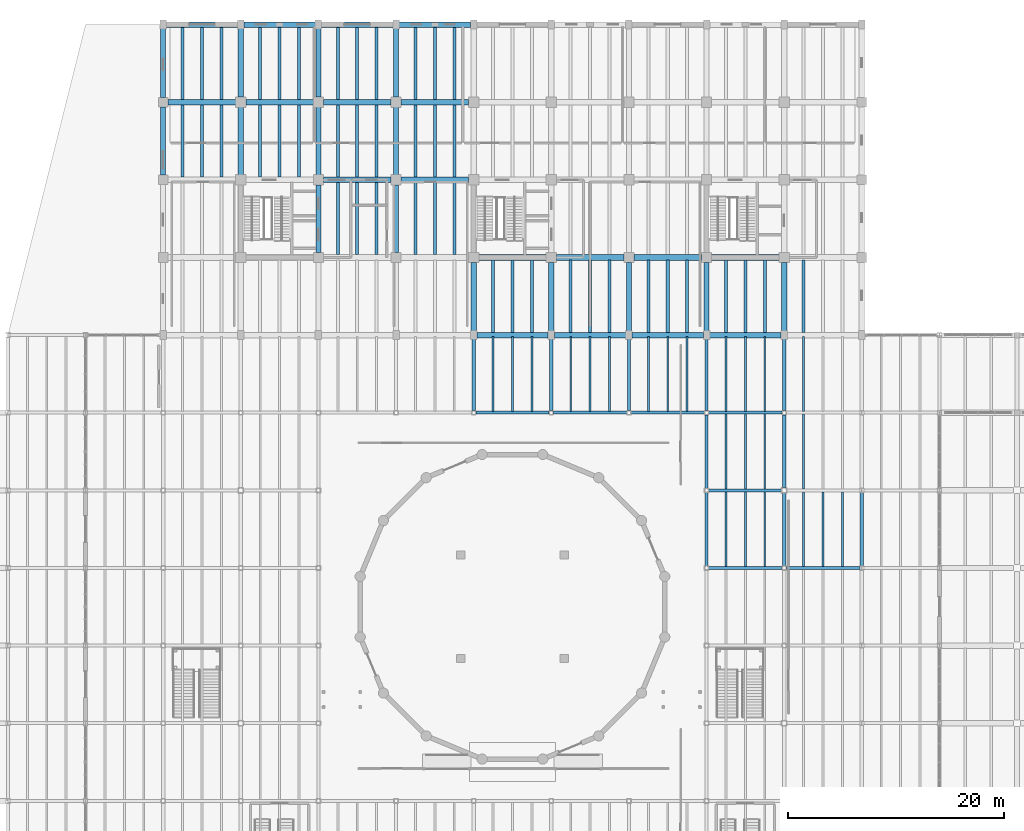
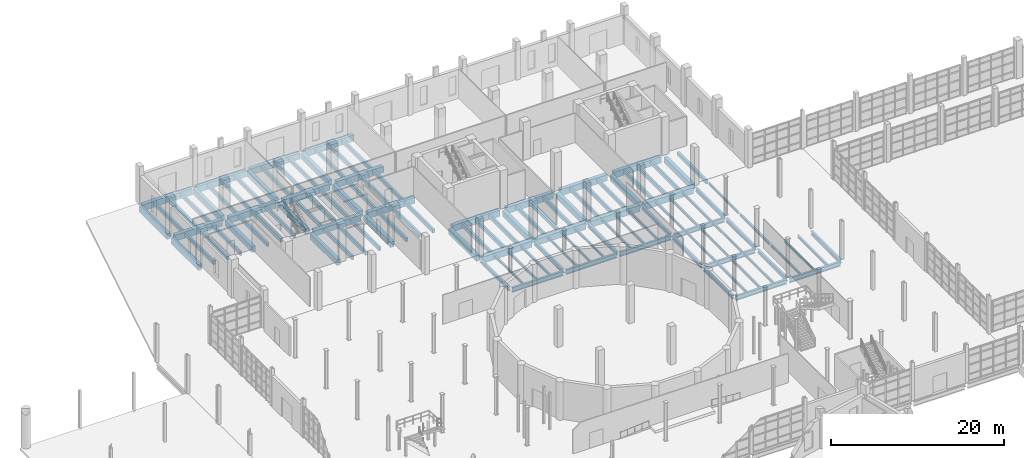
# One storey, part 35 of 79: 116 beams.
"""IFC4 building model written with IfcOpenShell, lengths in metres."""

from ifc_helpers import new_model, si_unit, direction, frame, origin, origin_2d, place, context, subcontext, project, spatial, rectangle, i_section, extrude, material, material_profile, profile_set, type_object, element, save


model = new_model("IFC4")

# Units and contexts
model_context = context("Model", 3, precision=1e-05, world=origin(), true_north=direction((0.0, 1.0)))
body_context = subcontext(model_context, "Body", "Model", "MODEL_VIEW")
ifc_project = project(units=[si_unit("LENGTHUNIT", "METRE"), si_unit("AREAUNIT", "SQUARE_METRE"), si_unit("VOLUMEUNIT", "CUBIC_METRE"), si_unit("PLANEANGLEUNIT", "RADIAN"), si_unit("MASSUNIT", "GRAM", prefix="KILO")], contexts=[model_context])

# Site, building, storey
site_placement = place(None, origin())
site = spatial("IfcSite", under=ifc_project, at=site_placement, CompositionType="ELEMENT")
building_placement = place(site_placement, origin())
building = spatial("IfcBuilding", under=site, at=building_placement, Name="Qiaolan Assembly House", CompositionType="ELEMENT")
storey_placement = place(building_placement, origin())
storey = spatial("IfcBuildingStorey", under=building, at=storey_placement, Name="L00", CompositionType="ELEMENT", Elevation=0.0)

# Beams
ifc_material_1 = material(Name="Concrete C45/55", Category="concrete")
ifc_material_profile_1 = material_profile(ifc_material_1, rectangle(XDim=0.47998046875, YDim=0.81005859375, at=origin_2d()), Name="RCB 480x810")
ifc_profile_set_1 = profile_set([ifc_material_profile_1], Name="Concrete C45/55")
beam_type_1 = type_object("IfcBeamType", Name="BM-RC-480x810", PredefinedType="BEAM", material=ifc_profile_set_1)
beam_1_placement = place(storey_placement, frame((36.0, 101.239990234375, -0.655029296875), z_axis=(0.0, 1.0, 0.0), x_axis=(-1.0, 0.0, 0.0)))
element("IfcBeam", 1, at=beam_1_placement, inside=storey, type_object=beam_type_1, Name="GB-11 beam BMY-NW-L00-00-02", PredefinedType="BEAM", context=body_context, shape_type="SweptSolid", body=[
    extrude(rectangle(XDim=0.47998046875, YDim=0.81005859375, at=origin_2d()), origin(), (0.0, 0.0, 1.0), 6.320068359375),
])
beam_2_placement = place(storey_placement, frame((36.0, 108.43994140625, -0.655029296875), z_axis=(0.0, 1.0, 0.0), x_axis=(-1.0, 0.0, 0.0)))
element("IfcBeam", 2, at=beam_2_placement, inside=storey, type_object=beam_type_1, Name="GB-11 beam BMY-NW-L00-00-03", PredefinedType="BEAM", context=body_context, shape_type="SweptSolid", body=[
    extrude(rectangle(XDim=0.47998046875, YDim=0.81005859375, at=origin_2d()), origin(), (0.0, 0.0, 1.0), 6.469970703125),
])
beam_3_placement = place(storey_placement, frame((43.199951171875, 101.264892578125, -0.655029296875), z_axis=(0.0, 1.0, 0.0), x_axis=(-1.0, 0.0, 0.0)))
element("IfcBeam", 3, at=beam_3_placement, inside=storey, type_object=beam_type_1, Name="GB-11 beam BMY-NW-L00-01-02", PredefinedType="BEAM", context=body_context, shape_type="SweptSolid", body=[
    extrude(rectangle(XDim=0.47998046875, YDim=0.81005859375, at=origin_2d()), origin(), (0.0, 0.0, 1.0), 6.27001953125),
])
beam_4_placement = place(storey_placement, frame((43.199951171875, 108.465087890625, -0.655029296875), z_axis=(0.0, 1.0, 0.0), x_axis=(-1.0, 0.0, 0.0)))
element("IfcBeam", 4, at=beam_4_placement, inside=storey, type_object=beam_type_1, Name="GB-11 beam BMY-NW-L00-01-03", PredefinedType="BEAM", context=body_context, shape_type="SweptSolid", body=[
    extrude(rectangle(XDim=0.47998046875, YDim=0.81005859375, at=origin_2d()), origin(), (0.0, 0.0, 1.0), 6.44482421875),
])
for number, where, z_axis, x_axis, name in (
    (5, (50.39990234375, 94.06494140625, -0.655029296875), (0.0, 1.0, 0.0), (-1.0, 0.0, 0.0), "GB-11 beam BMY-NW-L00-02-01"),
    (6, (50.39990234375, 101.264892578125, -0.655029296875), (0.0, 1.0, 0.0), (-1.0, 0.0, 0.0), "GB-11 beam BMY-NW-L00-02-02"),
):
    element("IfcBeam", number, at=place(storey_placement, frame(where, z_axis=z_axis, x_axis=x_axis)), inside=storey, type_object=beam_type_1, Name=name, PredefinedType="BEAM", context=body_context, shape_type="SweptSolid", body=[
        extrude(rectangle(XDim=0.47998046875, YDim=0.81005859375, at=origin_2d()), origin(), (0.0, 0.0, 1.0), 6.27001953125),
    ])
beam_5_placement = place(storey_placement, frame((50.39990234375, 108.465087890625, -0.655029296875), z_axis=(0.0, 1.0, 0.0), x_axis=(-1.0, 0.0, 0.0)))
element("IfcBeam", 7, at=beam_5_placement, inside=storey, type_object=beam_type_1, Name="GB-11 beam BMY-NW-L00-02-03", PredefinedType="BEAM", context=body_context, shape_type="SweptSolid", body=[
    extrude(rectangle(XDim=0.47998046875, YDim=0.81005859375, at=origin_2d()), origin(), (0.0, 0.0, 1.0), 6.44482421875),
])
for number, where, z_axis, x_axis, name in (
    (8, (57.60009765625, 94.06494140625, -0.655029296875), (0.0, 1.0, 0.0), (-1.0, 0.0, 0.0), "GB-11 beam BMY-NW-L00-03-01"),
    (9, (57.60009765625, 101.264892578125, -0.655029296875), (0.0, 1.0, 0.0), (-1.0, 0.0, 0.0), "GB-11 beam BMY-NW-L00-03-02"),
):
    element("IfcBeam", number, at=place(storey_placement, frame(where, z_axis=z_axis, x_axis=x_axis)), inside=storey, type_object=beam_type_1, Name=name, PredefinedType="BEAM", context=body_context, shape_type="SweptSolid", body=[
        extrude(rectangle(XDim=0.47998046875, YDim=0.81005859375, at=origin_2d()), origin(), (0.0, 0.0, 1.0), 6.27001953125),
    ])
beam_6_placement = place(storey_placement, frame((57.60009765625, 108.465087890625, -0.655029296875), z_axis=(0.0, 1.0, 0.0), x_axis=(-1.0, 0.0, 0.0)))
element("IfcBeam", 10, at=beam_6_placement, inside=storey, type_object=beam_type_1, Name="GB-11 beam BMY-NW-L00-03-03", PredefinedType="BEAM", context=body_context, shape_type="SweptSolid", body=[
    extrude(rectangle(XDim=0.47998046875, YDim=0.81005859375, at=origin_2d()), origin(), (0.0, 0.0, 1.0), 6.44482421875),
])
for number, where, z_axis, x_axis, name in (
    (11, (64.800048828125, 86.68994140625, -0.655029296875), (0.0, 1.0, 0.0), (-1.0, 0.0, 0.0), "GB-11 beam BMY-NW-L00-04-00"),
    (12, (72.0, 86.68994140625, -0.655029296875), (0.0, 1.0, 0.0), (-1.0, 0.0, 0.0), "GB-11 beam BMY-NW-L00-05-00"),
    (13, (79.199951171875, 86.68994140625, -0.655029296875), (0.0, 1.0, 0.0), (-1.0, 0.0, 0.0), "GB-11 beam BMY-NW-L00-06-00"),
    (14, (86.39990234375, 86.68994140625, -0.655029296875), (0.0, 1.0, 0.0), (-1.0, 0.0, 0.0), "GB-11 beam BMY-NW-L00-07-00"),
    (15, (93.60009765625, 86.68994140625, -0.655029296875), (0.0, 1.0, 0.0), (-1.0, 0.0, 0.0), "GB-11 beam BMY-NW-L00-08-00"),
):
    element("IfcBeam", number, at=place(storey_placement, frame(where, z_axis=z_axis, x_axis=x_axis)), inside=storey, type_object=beam_type_1, Name=name, PredefinedType="BEAM", context=body_context, shape_type="SweptSolid", body=[
        extrude(rectangle(XDim=0.47998046875, YDim=0.81005859375, at=origin_2d()), origin(), (0.0, 0.0, 1.0), 6.445068359375),
    ])
ifc_material_profile_2 = material_profile(ifc_material_1, rectangle(XDim=0.52001953125, YDim=0.8798828125, at=origin_2d()), Name="RCB 520x880")
ifc_profile_set_2 = profile_set([ifc_material_profile_2], Name="Concrete C45/55")
beam_type_2 = type_object("IfcBeamType", Name="BM-RC-520x880", PredefinedType="BEAM", material=ifc_profile_set_2)
for number, where, z_axis, x_axis, name in (
    (16, (65.090087890625, 86.39990234375, -0.739990234375), (1.0, 0.0, 0.0), (0.0, 1.0, 0.0), "GB-10 beam BMX-NW-L00-04-00"),
    (17, (72.2900390625, 86.39990234375, -0.739990234375), (1.0, 0.0, 0.0), (0.0, 1.0, 0.0), "GB-10 beam BMX-NW-L00-05-00"),
):
    element("IfcBeam", number, at=place(storey_placement, frame(where, z_axis=z_axis, x_axis=x_axis)), inside=storey, type_object=beam_type_2, Name=name, PredefinedType="BEAM", context=body_context, shape_type="SweptSolid", body=[
        extrude(rectangle(XDim=0.52001953125, YDim=0.8798828125, at=origin_2d()), origin(), (0.0, 0.0, 1.0), 6.619873046875),
    ])
for number, where, z_axis, x_axis, name in (
    (18, (79.489990234375, 86.39990234375, -0.739990234375), (1.0, 0.0, 0.0), (0.0, 1.0, 0.0), "GB-10 beam BMX-NW-L00-06-00"),
    (19, (86.68994140625, 86.39990234375, -0.739990234375), (1.0, 0.0, 0.0), (0.0, 1.0, 0.0), "GB-10 beam BMX-NW-L00-07-00"),
):
    element("IfcBeam", number, at=place(storey_placement, frame(where, z_axis=z_axis, x_axis=x_axis)), inside=storey, type_object=beam_type_2, Name=name, PredefinedType="BEAM", context=body_context, shape_type="SweptSolid", body=[
        extrude(rectangle(XDim=0.52001953125, YDim=0.8798828125, at=origin_2d()), origin(), (0.0, 0.0, 1.0), 6.6201171875),
    ])
for number, where, z_axis, x_axis, name in (
    (20, (65.264892578125, 93.60009765625, -0.68994140625), (1.0, 0.0, 0.0), (0.0, 1.0, 0.0), "GB-10 beam BMX-NW-L00-04-01"),
    (21, (72.465087890625, 93.60009765625, -0.68994140625), (1.0, 0.0, 0.0), (0.0, 1.0, 0.0), "GB-10 beam BMX-NW-L00-05-01"),
    (22, (79.6650390625, 93.60009765625, -0.68994140625), (1.0, 0.0, 0.0), (0.0, 1.0, 0.0), "GB-10 beam BMX-NW-L00-06-01"),
    (23, (86.864990234375, 93.60009765625, -0.68994140625), (1.0, 0.0, 0.0), (0.0, 1.0, 0.0), "GB-10 beam BMX-NW-L00-07-01"),
    (24, (50.864990234375, 100.800048828125, -0.68994140625), (1.0, 0.0, 0.0), (0.0, 1.0, 0.0), "GB-10 beam BMX-NW-L00-02-02"),
    (25, (58.06494140625, 100.800048828125, -0.68994140625), (1.0, 0.0, 0.0), (0.0, 1.0, 0.0), "GB-10 beam BMX-NW-L00-03-02"),
):
    element("IfcBeam", number, at=place(storey_placement, frame(where, z_axis=z_axis, x_axis=x_axis)), inside=storey, type_object=beam_type_2, Name=name, PredefinedType="BEAM", context=body_context, shape_type="SweptSolid", body=[
        extrude(rectangle(XDim=0.52001953125, YDim=0.8798828125, at=origin_2d()), origin(), (0.0, 0.0, 1.0), 6.27001953125),
    ])
beam_7_placement = place(storey_placement, frame((36.43994140625, 108.0, -0.68994140625), z_axis=(1.0, 0.0, 0.0), x_axis=(0.0, 1.0, 0.0)))
element("IfcBeam", 26, at=beam_7_placement, inside=storey, type_object=beam_type_2, Name="GB-10 beam BMX-NW-L00-00-03", PredefinedType="BEAM", context=body_context, shape_type="SweptSolid", body=[
    extrude(rectangle(XDim=0.52001953125, YDim=0.8798828125, at=origin_2d()), origin(), (0.0, 0.0, 1.0), 6.295166015625),
])
for number, where, z_axis, x_axis, name in (
    (27, (43.6650390625, 108.0, -0.68994140625), (1.0, 0.0, 0.0), (0.0, 1.0, 0.0), "GB-10 beam BMX-NW-L00-01-03"),
    (28, (50.864990234375, 108.0, -0.68994140625), (1.0, 0.0, 0.0), (0.0, 1.0, 0.0), "GB-10 beam BMX-NW-L00-02-03"),
    (29, (58.06494140625, 108.0, -0.68994140625), (1.0, 0.0, 0.0), (0.0, 1.0, 0.0), "GB-10 beam BMX-NW-L00-03-03"),
):
    element("IfcBeam", number, at=place(storey_placement, frame(where, z_axis=z_axis, x_axis=x_axis)), inside=storey, type_object=beam_type_2, Name=name, PredefinedType="BEAM", context=body_context, shape_type="SweptSolid", body=[
        extrude(rectangle(XDim=0.52001953125, YDim=0.8798828125, at=origin_2d()), origin(), (0.0, 0.0, 1.0), 6.27001953125),
    ])
beam_8_placement = place(storey_placement, frame((36.2900390625, 115.199951171875, -0.68994140625), z_axis=(1.0, 0.0, 0.0), x_axis=(0.0, 1.0, 0.0)))
element("IfcBeam", 30, at=beam_8_placement, inside=storey, type_object=beam_type_2, Name="GB-10 beam BMX-NW-L00-00-04", PredefinedType="BEAM", context=body_context, shape_type="SweptSolid", body=[
    extrude(rectangle(XDim=0.52001953125, YDim=0.8798828125, at=origin_2d()), origin(), (0.0, 0.0, 1.0), 6.619873046875),
])
for number, where, z_axis, x_axis, name in (
    (31, (43.489990234375, 115.199951171875, -0.68994140625), (1.0, 0.0, 0.0), (0.0, 1.0, 0.0), "GB-10 beam BMX-NW-L00-01-04"),
    (32, (50.68994140625, 115.199951171875, -0.68994140625), (1.0, 0.0, 0.0), (0.0, 1.0, 0.0), "GB-10 beam BMX-NW-L00-02-04"),
    (33, (57.889892578125, 115.199951171875, -0.68994140625), (1.0, 0.0, 0.0), (0.0, 1.0, 0.0), "GB-10 beam BMX-NW-L00-03-04"),
):
    element("IfcBeam", number, at=place(storey_placement, frame(where, z_axis=z_axis, x_axis=x_axis)), inside=storey, type_object=beam_type_2, Name=name, PredefinedType="BEAM", context=body_context, shape_type="SweptSolid", body=[
        extrude(rectangle(XDim=0.52001953125, YDim=0.8798828125, at=origin_2d()), origin(), (0.0, 0.0, 1.0), 6.6201171875),
    ])
ifc_material_2 = material(Name="Steel Q355B", Category="steel")
ifc_material_profile_3 = material_profile(ifc_material_2, i_section(OverallWidth=0.300048828125, OverallDepth=0.5400390625, WebThickness=0.010986328125, FlangeThickness=0.01806640625, FilletRadius=0.02001953125, at=origin_2d()), Name="HM 540x300x11x18")
ifc_profile_set_3 = profile_set([ifc_material_profile_3], Name="Steel Q355B")
beam_type_3 = type_object("IfcBeamType", Name="BM-STL-HM540", PredefinedType="BEAM", material=ifc_profile_set_3)
for number, where, z_axis, x_axis, name in (
    (34, (64.800048828125, 79.393310546875, -0.570068359375), (0.0, 1.0, 0.0), (-1.0, 0.0, 0.0), "SB-12 beam BMY-HL-L00-06-06"),
    (35, (72.0, 79.393310546875, -0.570068359375), (0.0, 1.0, 0.0), (-1.0, 0.0, 0.0), "SB-12 beam BMY-HL-L00-07-06"),
    (36, (79.199951171875, 79.393310546875, -0.570068359375), (0.0, 1.0, 0.0), (-1.0, 0.0, 0.0), "SB-12 beam BMY-HL-L00-08-06"),
):
    element("IfcBeam", number, at=place(storey_placement, frame(where, z_axis=z_axis, x_axis=x_axis)), inside=storey, type_object=beam_type_3, Name=name, PredefinedType="BEAM", context=body_context, shape_type="SweptSolid", body=[
        extrude(i_section(OverallWidth=0.300048828125, OverallDepth=0.5400390625, WebThickness=0.010986328125, FlangeThickness=0.01806640625, FilletRadius=0.02001953125, at=origin_2d()), origin(), (0.0, 0.0, 1.0), 6.716796875),
    ])
for number, where, z_axis, x_axis, name in (
    (37, (86.39990234375, 64.9931640625, -0.570068359375), (0.0, 1.0, 0.0), (-1.0, 0.0, 0.0), "SB-12 beam BMY-HL-L00-09-04"),
    (38, (86.39990234375, 72.193115234375, -0.570068359375), (0.0, 1.0, 0.0), (-1.0, 0.0, 0.0), "SB-12 beam BMY-HL-L00-09-05"),
):
    element("IfcBeam", number, at=place(storey_placement, frame(where, z_axis=z_axis, x_axis=x_axis)), inside=storey, type_object=beam_type_3, Name=name, PredefinedType="BEAM", context=body_context, shape_type="SweptSolid", body=[
        extrude(i_section(OverallWidth=0.300048828125, OverallDepth=0.5400390625, WebThickness=0.010986328125, FlangeThickness=0.01806640625, FilletRadius=0.02001953125, at=origin_2d()), origin(), (0.0, 0.0, 1.0), 6.813720703125),
    ])
beam_9_placement = place(storey_placement, frame((86.39990234375, 79.393310546875, -0.570068359375), z_axis=(0.0, 1.0, 0.0), x_axis=(-1.0, 0.0, 0.0)))
element("IfcBeam", 39, at=beam_9_placement, inside=storey, type_object=beam_type_3, Name="SB-12 beam BMY-HL-L00-09-06", PredefinedType="BEAM", context=body_context, shape_type="SweptSolid", body=[
    extrude(i_section(OverallWidth=0.300048828125, OverallDepth=0.5400390625, WebThickness=0.010986328125, FlangeThickness=0.01806640625, FilletRadius=0.02001953125, at=origin_2d()), origin(), (0.0, 0.0, 1.0), 6.716796875),
])
for number, where, z_axis, x_axis, name in (
    (40, (93.60009765625, 64.9931640625, -0.570068359375), (0.0, 1.0, 0.0), (-1.0, 0.0, 0.0), "SB-12 beam BMY-HL-L00-10-04"),
    (41, (93.60009765625, 72.243896484375, -0.570068359375), (0.0, 1.0, 0.0), (-1.0, 0.0, 0.0), "SB-12 beam BMY-HL-L00-10-05"),
):
    element("IfcBeam", number, at=place(storey_placement, frame(where, z_axis=z_axis, x_axis=x_axis)), inside=storey, type_object=beam_type_3, Name=name, PredefinedType="BEAM", context=body_context, shape_type="SweptSolid", body=[
        extrude(i_section(OverallWidth=0.300048828125, OverallDepth=0.5400390625, WebThickness=0.010986328125, FlangeThickness=0.01806640625, FilletRadius=0.02001953125, at=origin_2d()), origin(), (0.0, 0.0, 1.0), 6.762939453125),
    ])
beam_10_placement = place(storey_placement, frame((93.60009765625, 79.393310546875, -0.570068359375), z_axis=(0.0, 1.0, 0.0), x_axis=(-1.0, 0.0, 0.0)))
element("IfcBeam", 42, at=beam_10_placement, inside=storey, type_object=beam_type_3, Name="SB-12 beam BMY-HL-L00-10-06", PredefinedType="BEAM", context=body_context, shape_type="SweptSolid", body=[
    extrude(i_section(OverallWidth=0.300048828125, OverallDepth=0.5400390625, WebThickness=0.010986328125, FlangeThickness=0.01806640625, FilletRadius=0.02001953125, at=origin_2d()), origin(), (0.0, 0.0, 1.0), 6.716796875),
])
beam_11_placement = place(storey_placement, frame((100.800048828125, 64.989990234375, -0.570068359375), z_axis=(0.0, 1.0, 0.0), x_axis=(-1.0, 0.0, 0.0)))
element("IfcBeam", 43, at=beam_11_placement, inside=storey, type_object=beam_type_3, Name="SB-12 beam BMY-HL-L00-11-04", PredefinedType="BEAM", context=body_context, shape_type="SweptSolid", body=[
    extrude(i_section(OverallWidth=0.300048828125, OverallDepth=0.5400390625, WebThickness=0.010986328125, FlangeThickness=0.01806640625, FilletRadius=0.02001953125, at=origin_2d()), origin(), (0.0, 0.0, 1.0), 6.820068359375),
])
ifc_material_profile_4 = material_profile(ifc_material_2, i_section(OverallWidth=0.280029296875, OverallDepth=0.64990234375, WebThickness=0.011962890625, FlangeThickness=0.02197265625, FilletRadius=0.02197265625, at=origin_2d()), Name="HN 650x280x12x22")
ifc_profile_set_4 = profile_set([ifc_material_profile_4], Name="Steel Q355B")
beam_type_4 = type_object("IfcBeamType", Name="BM-STL-HN650", PredefinedType="BEAM", material=ifc_profile_set_4)
beam_12_placement = place(storey_placement, frame((86.59326171875, 64.800048828125, -0.625), z_axis=(1.0, 0.0, 0.0), x_axis=(0.0, 1.0, 0.0)))
element("IfcBeam", 44, at=beam_12_placement, inside=storey, type_object=beam_type_4, Name="SB-10 beam BMX-HL-L00-09-04", PredefinedType="BEAM", context=body_context, shape_type="SweptSolid", body=[
    extrude(i_section(OverallWidth=0.280029296875, OverallDepth=0.64990234375, WebThickness=0.011962890625, FlangeThickness=0.02197265625, FilletRadius=0.02197265625, at=origin_2d()), origin(), (0.0, 0.0, 1.0), 6.8134765625),
])
beam_13_placement = place(storey_placement, frame((93.793212890625, 64.800048828125, -0.625), z_axis=(1.0, 0.0, 0.0), x_axis=(0.0, 1.0, 0.0)))
element("IfcBeam", 45, at=beam_13_placement, inside=storey, type_object=beam_type_4, Name="SB-10 beam BMX-HL-L00-10-04", PredefinedType="BEAM", context=body_context, shape_type="SweptSolid", body=[
    extrude(i_section(OverallWidth=0.280029296875, OverallDepth=0.64990234375, WebThickness=0.011962890625, FlangeThickness=0.02197265625, FilletRadius=0.02197265625, at=origin_2d()), origin(), (0.0, 0.0, 1.0), 6.81689453125),
])
beam_14_placement = place(storey_placement, frame((86.59326171875, 72.0, -0.625), z_axis=(1.0, 0.0, 0.0), x_axis=(0.0, 1.0, 0.0)))
element("IfcBeam", 46, at=beam_14_placement, inside=storey, type_object=beam_type_4, Name="SB-10 beam BMX-HL-L00-09-05", PredefinedType="BEAM", context=body_context, shape_type="SweptSolid", body=[
    extrude(i_section(OverallWidth=0.280029296875, OverallDepth=0.64990234375, WebThickness=0.011962890625, FlangeThickness=0.02197265625, FilletRadius=0.02197265625, at=origin_2d()), origin(), (0.0, 0.0, 1.0), 6.7626953125),
])
for number, where, z_axis, x_axis, name in (
    (47, (64.9931640625, 79.199951171875, -0.625), (1.0, 0.0, 0.0), (0.0, 1.0, 0.0), "SB-10 beam BMX-HL-L00-06-06"),
    (48, (72.193115234375, 79.199951171875, -0.625), (1.0, 0.0, 0.0), (0.0, 1.0, 0.0), "SB-10 beam BMX-HL-L00-07-06"),
):
    element("IfcBeam", number, at=place(storey_placement, frame(where, z_axis=z_axis, x_axis=x_axis)), inside=storey, type_object=beam_type_4, Name=name, PredefinedType="BEAM", context=body_context, shape_type="SweptSolid", body=[
        extrude(i_section(OverallWidth=0.280029296875, OverallDepth=0.64990234375, WebThickness=0.011962890625, FlangeThickness=0.02197265625, FilletRadius=0.02197265625, at=origin_2d()), origin(), (0.0, 0.0, 1.0), 6.813720703125),
    ])
for number, where, z_axis, x_axis, name in (
    (49, (79.393310546875, 79.199951171875, -0.625), (1.0, 0.0, 0.0), (0.0, 1.0, 0.0), "SB-10 beam BMX-HL-L00-08-06"),
    (50, (86.59326171875, 79.199951171875, -0.625), (1.0, 0.0, 0.0), (0.0, 1.0, 0.0), "SB-10 beam BMX-HL-L00-09-06"),
):
    element("IfcBeam", number, at=place(storey_placement, frame(where, z_axis=z_axis, x_axis=x_axis)), inside=storey, type_object=beam_type_4, Name=name, PredefinedType="BEAM", context=body_context, shape_type="SweptSolid", body=[
        extrude(i_section(OverallWidth=0.280029296875, OverallDepth=0.64990234375, WebThickness=0.011962890625, FlangeThickness=0.02197265625, FilletRadius=0.02197265625, at=origin_2d()), origin(), (0.0, 0.0, 1.0), 6.8134765625),
    ])
ifc_material_3 = material(Name="Concrete C40/50", Category="concrete")
ifc_material_profile_5 = material_profile(ifc_material_3, rectangle(XDim=0.280029296875, YDim=0.5400390625, at=origin_2d()), Name="RCB 280x540")
ifc_profile_set_5 = profile_set([ifc_material_profile_5], Name="Concrete C40/50")
beam_type_5 = type_object("IfcBeamType", Name="JST-RC-280x540", PredefinedType="JOIST", material=ifc_profile_set_5)
for number, where, z_axis, x_axis, name in (
    (51, (37.800048828125, 101.053955078125, -0.52001953125), (0.0, 1.0, 0.0), (-1.0, 0.0, 0.0), "RJ-04 beam JST-NW-L00-00-02-1"),
    (52, (39.60009765625, 101.053955078125, -0.52001953125), (0.0, 1.0, 0.0), (-1.0, 0.0, 0.0), "RJ-04 beam JST-NW-L00-00-02-2"),
    (53, (41.39990234375, 101.053955078125, -0.52001953125), (0.0, 1.0, 0.0), (-1.0, 0.0, 0.0), "RJ-04 beam JST-NW-L00-00-02-3"),
    (54, (37.800048828125, 108.25390625, -0.52001953125), (0.0, 1.0, 0.0), (-1.0, 0.0, 0.0), "RJ-04 beam JST-NW-L00-00-03-1"),
    (55, (39.60009765625, 108.25390625, -0.52001953125), (0.0, 1.0, 0.0), (-1.0, 0.0, 0.0), "RJ-04 beam JST-NW-L00-00-03-2"),
    (56, (41.39990234375, 108.25390625, -0.52001953125), (0.0, 1.0, 0.0), (-1.0, 0.0, 0.0), "RJ-04 beam JST-NW-L00-00-03-3"),
    (57, (45.0, 101.053955078125, -0.52001953125), (0.0, 1.0, 0.0), (-1.0, 0.0, 0.0), "RJ-04 beam JST-NW-L00-01-02-1"),
    (58, (46.800048828125, 101.053955078125, -0.52001953125), (0.0, 1.0, 0.0), (-1.0, 0.0, 0.0), "RJ-04 beam JST-NW-L00-01-02-2"),
    (59, (48.60009765625, 101.053955078125, -0.52001953125), (0.0, 1.0, 0.0), (-1.0, 0.0, 0.0), "RJ-04 beam JST-NW-L00-01-02-3"),
    (60, (45.0, 108.25390625, -0.52001953125), (0.0, 1.0, 0.0), (-1.0, 0.0, 0.0), "RJ-04 beam JST-NW-L00-01-03-1"),
    (61, (46.800048828125, 108.25390625, -0.52001953125), (0.0, 1.0, 0.0), (-1.0, 0.0, 0.0), "RJ-04 beam JST-NW-L00-01-03-2"),
    (62, (48.60009765625, 108.25390625, -0.52001953125), (0.0, 1.0, 0.0), (-1.0, 0.0, 0.0), "RJ-04 beam JST-NW-L00-01-03-3"),
):
    element("IfcBeam", number, at=place(storey_placement, frame(where, z_axis=z_axis, x_axis=x_axis)), inside=storey, type_object=beam_type_5, Name=name, PredefinedType="JOIST", context=body_context, shape_type="SweptSolid", body=[
        extrude(rectangle(XDim=0.280029296875, YDim=0.5400390625, at=origin_2d()), origin(), (0.0, 0.0, 1.0), 6.692138671875),
    ])
for number, where, z_axis, x_axis, name in (
    (63, (52.199951171875, 93.85400390625, -0.52001953125), (0.0, 1.0, 0.0), (-1.0, 0.0, 0.0), "RJ-04 beam JST-NW-L00-02-01-1"),
    (64, (54.0, 93.85400390625, -0.52001953125), (0.0, 1.0, 0.0), (-1.0, 0.0, 0.0), "RJ-04 beam JST-NW-L00-02-01-2"),
    (65, (55.800048828125, 93.85400390625, -0.52001953125), (0.0, 1.0, 0.0), (-1.0, 0.0, 0.0), "RJ-04 beam JST-NW-L00-02-01-3"),
):
    element("IfcBeam", number, at=place(storey_placement, frame(where, z_axis=z_axis, x_axis=x_axis)), inside=storey, type_object=beam_type_5, Name=name, PredefinedType="JOIST", context=body_context, shape_type="SweptSolid", body=[
        extrude(rectangle(XDim=0.280029296875, YDim=0.5400390625, at=origin_2d()), origin(), (0.0, 0.0, 1.0), 6.69189453125),
    ])
for number, where, z_axis, x_axis, name in (
    (66, (52.199951171875, 101.053955078125, -0.52001953125), (0.0, 1.0, 0.0), (-1.0, 0.0, 0.0), "RJ-04 beam JST-NW-L00-02-02-1"),
    (67, (54.0, 101.053955078125, -0.52001953125), (0.0, 1.0, 0.0), (-1.0, 0.0, 0.0), "RJ-04 beam JST-NW-L00-02-02-2"),
    (68, (55.800048828125, 101.053955078125, -0.52001953125), (0.0, 1.0, 0.0), (-1.0, 0.0, 0.0), "RJ-04 beam JST-NW-L00-02-02-3"),
    (69, (52.199951171875, 108.25390625, -0.52001953125), (0.0, 1.0, 0.0), (-1.0, 0.0, 0.0), "RJ-04 beam JST-NW-L00-02-03-1"),
    (70, (54.0, 108.25390625, -0.52001953125), (0.0, 1.0, 0.0), (-1.0, 0.0, 0.0), "RJ-04 beam JST-NW-L00-02-03-2"),
    (71, (55.800048828125, 108.25390625, -0.52001953125), (0.0, 1.0, 0.0), (-1.0, 0.0, 0.0), "RJ-04 beam JST-NW-L00-02-03-3"),
):
    element("IfcBeam", number, at=place(storey_placement, frame(where, z_axis=z_axis, x_axis=x_axis)), inside=storey, type_object=beam_type_5, Name=name, PredefinedType="JOIST", context=body_context, shape_type="SweptSolid", body=[
        extrude(rectangle(XDim=0.280029296875, YDim=0.5400390625, at=origin_2d()), origin(), (0.0, 0.0, 1.0), 6.692138671875),
    ])
for number, where, z_axis, x_axis, name in (
    (72, (59.39990234375, 93.85400390625, -0.52001953125), (0.0, 1.0, 0.0), (-1.0, 0.0, 0.0), "RJ-04 beam JST-NW-L00-03-01-1"),
    (73, (61.199951171875, 93.85400390625, -0.52001953125), (0.0, 1.0, 0.0), (-1.0, 0.0, 0.0), "RJ-04 beam JST-NW-L00-03-01-2"),
    (74, (63.0, 93.85400390625, -0.52001953125), (0.0, 1.0, 0.0), (-1.0, 0.0, 0.0), "RJ-04 beam JST-NW-L00-03-01-3"),
):
    element("IfcBeam", number, at=place(storey_placement, frame(where, z_axis=z_axis, x_axis=x_axis)), inside=storey, type_object=beam_type_5, Name=name, PredefinedType="JOIST", context=body_context, shape_type="SweptSolid", body=[
        extrude(rectangle(XDim=0.280029296875, YDim=0.5400390625, at=origin_2d()), origin(), (0.0, 0.0, 1.0), 6.69189453125),
    ])
for number, where, z_axis, x_axis, name in (
    (75, (59.39990234375, 101.053955078125, -0.52001953125), (0.0, 1.0, 0.0), (-1.0, 0.0, 0.0), "RJ-04 beam JST-NW-L00-03-02-1"),
    (76, (61.199951171875, 101.053955078125, -0.52001953125), (0.0, 1.0, 0.0), (-1.0, 0.0, 0.0), "RJ-04 beam JST-NW-L00-03-02-2"),
    (77, (63.0, 101.053955078125, -0.52001953125), (0.0, 1.0, 0.0), (-1.0, 0.0, 0.0), "RJ-04 beam JST-NW-L00-03-02-3"),
    (78, (59.39990234375, 108.25390625, -0.52001953125), (0.0, 1.0, 0.0), (-1.0, 0.0, 0.0), "RJ-04 beam JST-NW-L00-03-03-1"),
    (79, (61.199951171875, 108.25390625, -0.52001953125), (0.0, 1.0, 0.0), (-1.0, 0.0, 0.0), "RJ-04 beam JST-NW-L00-03-03-2"),
    (80, (63.0, 108.25390625, -0.52001953125), (0.0, 1.0, 0.0), (-1.0, 0.0, 0.0), "RJ-04 beam JST-NW-L00-03-03-3"),
):
    element("IfcBeam", number, at=place(storey_placement, frame(where, z_axis=z_axis, x_axis=x_axis)), inside=storey, type_object=beam_type_5, Name=name, PredefinedType="JOIST", context=body_context, shape_type="SweptSolid", body=[
        extrude(rectangle(XDim=0.280029296875, YDim=0.5400390625, at=origin_2d()), origin(), (0.0, 0.0, 1.0), 6.692138671875),
    ])
for number, where, z_axis, x_axis, name in (
    (81, (66.60009765625, 86.654052734375, -0.570068359375), (0.0, 1.0, 0.0), (-1.0, 0.0, 0.0), "RJ-04 beam JST-NW-L00-04-00-1"),
    (82, (68.39990234375, 86.654052734375, -0.570068359375), (0.0, 1.0, 0.0), (-1.0, 0.0, 0.0), "RJ-04 beam JST-NW-L00-04-00-2"),
    (83, (70.199951171875, 86.654052734375, -0.570068359375), (0.0, 1.0, 0.0), (-1.0, 0.0, 0.0), "RJ-04 beam JST-NW-L00-04-00-3"),
    (84, (73.800048828125, 86.654052734375, -0.570068359375), (0.0, 1.0, 0.0), (-1.0, 0.0, 0.0), "RJ-04 beam JST-NW-L00-05-00-1"),
    (85, (75.60009765625, 86.654052734375, -0.570068359375), (0.0, 1.0, 0.0), (-1.0, 0.0, 0.0), "RJ-04 beam JST-NW-L00-05-00-2"),
    (86, (77.39990234375, 86.654052734375, -0.570068359375), (0.0, 1.0, 0.0), (-1.0, 0.0, 0.0), "RJ-04 beam JST-NW-L00-05-00-3"),
    (87, (81.0, 86.654052734375, -0.570068359375), (0.0, 1.0, 0.0), (-1.0, 0.0, 0.0), "RJ-04 beam JST-NW-L00-06-00-1"),
    (88, (82.800048828125, 86.654052734375, -0.570068359375), (0.0, 1.0, 0.0), (-1.0, 0.0, 0.0), "RJ-04 beam JST-NW-L00-06-00-2"),
    (89, (84.60009765625, 86.654052734375, -0.570068359375), (0.0, 1.0, 0.0), (-1.0, 0.0, 0.0), "RJ-04 beam JST-NW-L00-06-00-3"),
    (90, (88.199951171875, 86.654052734375, -0.570068359375), (0.0, 1.0, 0.0), (-1.0, 0.0, 0.0), "RJ-04 beam JST-NW-L00-07-00-1"),
    (91, (90.0, 86.654052734375, -0.570068359375), (0.0, 1.0, 0.0), (-1.0, 0.0, 0.0), "RJ-04 beam JST-NW-L00-07-00-2"),
    (92, (91.800048828125, 86.654052734375, -0.570068359375), (0.0, 1.0, 0.0), (-1.0, 0.0, 0.0), "RJ-04 beam JST-NW-L00-07-00-3"),
    (93, (95.39990234375, 86.654052734375, -0.570068359375), (0.0, 1.0, 0.0), (-1.0, 0.0, 0.0), "RJ-04 beam JST-NW-L00-08-00-1"),
):
    element("IfcBeam", number, at=place(storey_placement, frame(where, z_axis=z_axis, x_axis=x_axis)), inside=storey, type_object=beam_type_5, Name=name, PredefinedType="JOIST", context=body_context, shape_type="SweptSolid", body=[
        extrude(rectangle(XDim=0.280029296875, YDim=0.5400390625, at=origin_2d()), origin(), (0.0, 0.0, 1.0), 6.69189453125),
    ])
ifc_material_profile_6 = material_profile(ifc_material_2, i_section(OverallWidth=0.175048828125, OverallDepth=0.35009765625, WebThickness=0.007080078125, FlangeThickness=0.010986328125, FilletRadius=0.013916015625, at=origin_2d()), Name="HN 350x175x7x11")
ifc_profile_set_6 = profile_set([ifc_material_profile_6], Name="Steel Q355B")
beam_type_6 = type_object("IfcBeamType", Name="JST-STL-HN350", PredefinedType="JOIST", material=ifc_profile_set_6)
for number, where, z_axis, x_axis, name in (
    (94, (66.60009765625, 79.333984375, -0.47509765625), (0.0, 1.0, 0.0), (-1.0, 0.0, 0.0), "SJ-01 beam JST-HL-L00-06-06-1"),
    (95, (68.39990234375, 79.333984375, -0.47509765625), (0.0, 1.0, 0.0), (-1.0, 0.0, 0.0), "SJ-01 beam JST-HL-L00-06-06-2"),
    (96, (70.199951171875, 79.333984375, -0.47509765625), (0.0, 1.0, 0.0), (-1.0, 0.0, 0.0), "SJ-01 beam JST-HL-L00-06-06-3"),
    (97, (73.800048828125, 79.333984375, -0.47509765625), (0.0, 1.0, 0.0), (-1.0, 0.0, 0.0), "SJ-01 beam JST-HL-L00-07-06-1"),
    (98, (75.60009765625, 79.333984375, -0.47509765625), (0.0, 1.0, 0.0), (-1.0, 0.0, 0.0), "SJ-01 beam JST-HL-L00-07-06-2"),
    (99, (77.39990234375, 79.333984375, -0.47509765625), (0.0, 1.0, 0.0), (-1.0, 0.0, 0.0), "SJ-01 beam JST-HL-L00-07-06-3"),
    (100, (81.0, 79.333984375, -0.47509765625), (0.0, 1.0, 0.0), (-1.0, 0.0, 0.0), "SJ-01 beam JST-HL-L00-08-06-1"),
    (101, (82.800048828125, 79.333984375, -0.47509765625), (0.0, 1.0, 0.0), (-1.0, 0.0, 0.0), "SJ-01 beam JST-HL-L00-08-06-2"),
    (102, (84.60009765625, 79.333984375, -0.47509765625), (0.0, 1.0, 0.0), (-1.0, 0.0, 0.0), "SJ-01 beam JST-HL-L00-08-06-3"),
):
    element("IfcBeam", number, at=place(storey_placement, frame(where, z_axis=z_axis, x_axis=x_axis)), inside=storey, type_object=beam_type_6, Name=name, PredefinedType="JOIST", context=body_context, shape_type="SweptSolid", body=[
        extrude(i_section(OverallWidth=0.175048828125, OverallDepth=0.35009765625, WebThickness=0.007080078125, FlangeThickness=0.010986328125, FilletRadius=0.013916015625, at=origin_2d()), origin(), (0.0, 0.0, 1.0), 6.93212890625),
    ])
for number, where, z_axis, x_axis, name in (
    (103, (88.199951171875, 64.93408203125, -0.47509765625), (0.0, 1.0, 0.0), (-1.0, 0.0, 0.0), "SJ-01 beam JST-HL-L00-09-04-1"),
    (104, (90.0, 64.93408203125, -0.47509765625), (0.0, 1.0, 0.0), (-1.0, 0.0, 0.0), "SJ-01 beam JST-HL-L00-09-04-2"),
    (105, (91.800048828125, 64.93408203125, -0.47509765625), (0.0, 1.0, 0.0), (-1.0, 0.0, 0.0), "SJ-01 beam JST-HL-L00-09-04-3"),
    (106, (88.199951171875, 72.134033203125, -0.47509765625), (0.0, 1.0, 0.0), (-1.0, 0.0, 0.0), "SJ-01 beam JST-HL-L00-09-05-1"),
    (107, (90.0, 72.134033203125, -0.47509765625), (0.0, 1.0, 0.0), (-1.0, 0.0, 0.0), "SJ-01 beam JST-HL-L00-09-05-2"),
    (108, (91.800048828125, 72.134033203125, -0.47509765625), (0.0, 1.0, 0.0), (-1.0, 0.0, 0.0), "SJ-01 beam JST-HL-L00-09-05-3"),
):
    element("IfcBeam", number, at=place(storey_placement, frame(where, z_axis=z_axis, x_axis=x_axis)), inside=storey, type_object=beam_type_6, Name=name, PredefinedType="JOIST", context=body_context, shape_type="SweptSolid", body=[
        extrude(i_section(OverallWidth=0.175048828125, OverallDepth=0.35009765625, WebThickness=0.007080078125, FlangeThickness=0.010986328125, FilletRadius=0.013916015625, at=origin_2d()), origin(), (0.0, 0.0, 1.0), 6.931884765625),
    ])
for number, where, z_axis, x_axis, name in (
    (109, (88.199951171875, 79.333984375, -0.47509765625), (0.0, 1.0, 0.0), (-1.0, 0.0, 0.0), "SJ-01 beam JST-HL-L00-09-06-1"),
    (110, (90.0, 79.333984375, -0.47509765625), (0.0, 1.0, 0.0), (-1.0, 0.0, 0.0), "SJ-01 beam JST-HL-L00-09-06-2"),
    (111, (91.800048828125, 79.333984375, -0.47509765625), (0.0, 1.0, 0.0), (-1.0, 0.0, 0.0), "SJ-01 beam JST-HL-L00-09-06-3"),
):
    element("IfcBeam", number, at=place(storey_placement, frame(where, z_axis=z_axis, x_axis=x_axis)), inside=storey, type_object=beam_type_6, Name=name, PredefinedType="JOIST", context=body_context, shape_type="SweptSolid", body=[
        extrude(i_section(OverallWidth=0.175048828125, OverallDepth=0.35009765625, WebThickness=0.007080078125, FlangeThickness=0.010986328125, FilletRadius=0.013916015625, at=origin_2d()), origin(), (0.0, 0.0, 1.0), 6.93212890625),
    ])
for number, where, z_axis, x_axis, name in (
    (112, (95.39990234375, 64.93408203125, -0.47509765625), (0.0, 1.0, 0.0), (-1.0, 0.0, 0.0), "SJ-01 beam JST-HL-L00-10-04-1"),
    (113, (97.199951171875, 64.93408203125, -0.47509765625), (0.0, 1.0, 0.0), (-1.0, 0.0, 0.0), "SJ-01 beam JST-HL-L00-10-04-2"),
    (114, (99.0, 64.93408203125, -0.47509765625), (0.0, 1.0, 0.0), (-1.0, 0.0, 0.0), "SJ-01 beam JST-HL-L00-10-04-3"),
    (115, (95.39990234375, 72.134033203125, -0.47509765625), (0.0, 1.0, 0.0), (-1.0, 0.0, 0.0), "SJ-01 beam JST-HL-L00-10-05-1"),
):
    element("IfcBeam", number, at=place(storey_placement, frame(where, z_axis=z_axis, x_axis=x_axis)), inside=storey, type_object=beam_type_6, Name=name, PredefinedType="JOIST", context=body_context, shape_type="SweptSolid", body=[
        extrude(i_section(OverallWidth=0.175048828125, OverallDepth=0.35009765625, WebThickness=0.007080078125, FlangeThickness=0.010986328125, FilletRadius=0.013916015625, at=origin_2d()), origin(), (0.0, 0.0, 1.0), 6.931884765625),
    ])
beam_15_placement = place(storey_placement, frame((95.39990234375, 79.333984375, -0.47509765625), z_axis=(0.0, 1.0, 0.0), x_axis=(-1.0, 0.0, 0.0)))
element("IfcBeam", 116, at=beam_15_placement, inside=storey, type_object=beam_type_6, Name="SJ-01 beam JST-HL-L00-10-06-1", PredefinedType="JOIST", context=body_context, shape_type="SweptSolid", body=[
    extrude(i_section(OverallWidth=0.175048828125, OverallDepth=0.35009765625, WebThickness=0.007080078125, FlangeThickness=0.010986328125, FilletRadius=0.013916015625, at=origin_2d()), origin(), (0.0, 0.0, 1.0), 6.93212890625),
])

save(model, "model.ifc")
